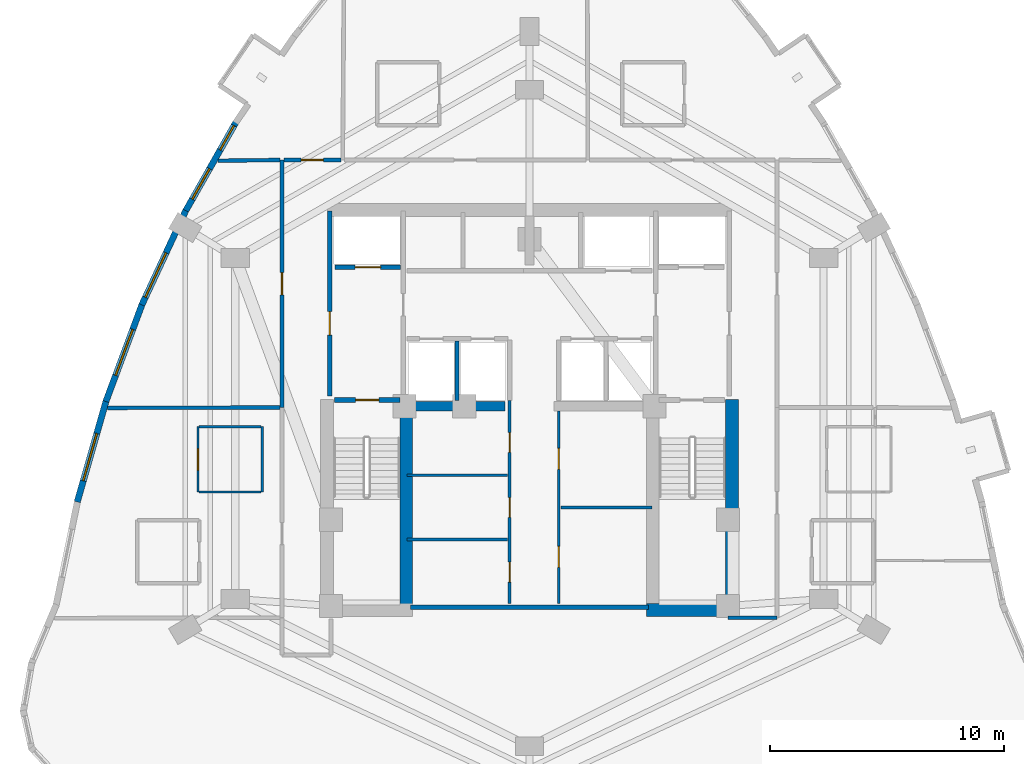
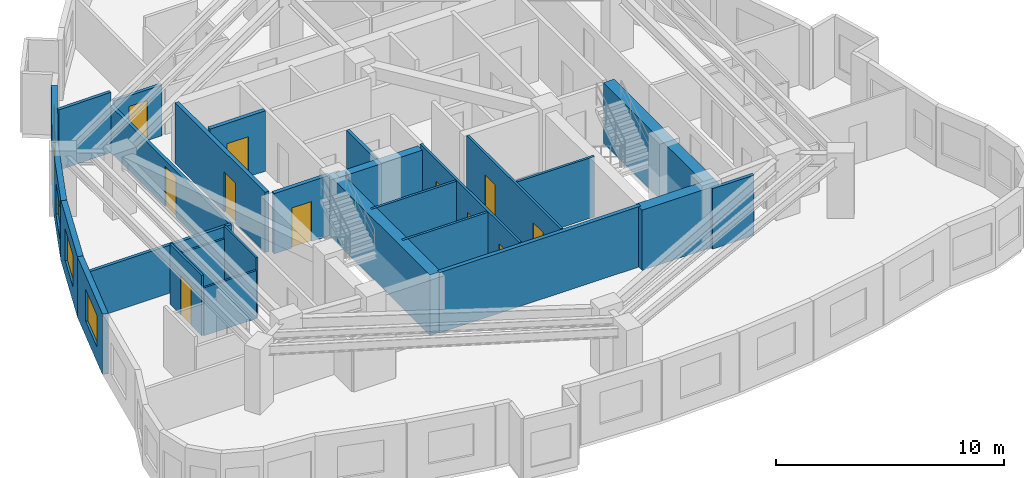
# One storey, part 4 of 9: 27 walls, 11 doors, 5 windows, 16 openings.
"""IFC4 building model written with IfcOpenShell, lengths in metres."""

from ifc_helpers import new_model, si_unit, direction, frame, frame_2d, origin, place, context, subcontext, project, spatial, rectangle, extrude, material, layer, layer_set, type_object, element, fill, save


model = new_model("IFC4")

# Units and contexts
model_context = context("Model", 3, precision=1e-05, world=origin(), true_north=direction((0.0, 1.0)))
body_context = subcontext(model_context, "Body", "Model", "MODEL_VIEW")
ifc_project = project(units=[si_unit("LENGTHUNIT", "METRE"), si_unit("AREAUNIT", "SQUARE_METRE"), si_unit("VOLUMEUNIT", "CUBIC_METRE"), si_unit("PLANEANGLEUNIT", "RADIAN"), si_unit("MASSUNIT", "GRAM", prefix="KILO")], contexts=[model_context])

# Site, building, storey
site_placement = place(None, origin())
site = spatial("IfcSite", under=ifc_project, at=site_placement, CompositionType="ELEMENT")
building_placement = place(site_placement, origin())
building = spatial("IfcBuilding", under=site, at=building_placement, Name="Miruveldt Soraemaru", CompositionType="ELEMENT")
storey_placement = place(building_placement, frame((0.0, 0.0, 135.39990234375)))
storey = spatial("IfcBuildingStorey", under=building, at=storey_placement, Name="L37", CompositionType="ELEMENT", Elevation=135.39990234375)

# Walls
ifc_material_1 = material(Name="Concrete C70/85 (70 MPa)", Category="concrete")
ifc_layer_1 = layer(ifc_material_1, 0.5, Name="Concrete C70/85 (70 MPa)", Category="concrete")
ifc_layer_set_1 = layer_set([ifc_layer_1], Name="Concrete C70/85 (70 MPa)")
wall_type_1 = type_object("IfcWallType", Name="WALL-BW-500", PredefinedType="SHEAR", material=ifc_layer_set_1)
wall_1_placement = place(storey_placement, frame((38.75, 44.050048828125, 0.0), z_axis=(0.0, 0.0, 1.0), x_axis=(1.0, 0.0, 0.0)))
element("IfcWall", 1, at=wall_1_placement, inside=storey, type_object=wall_type_1, Name="L37 Core Buttress Shear Wall BW", PredefinedType="SHEAR", context=body_context, shape_type="SweptSolid", body=[
    extrude(rectangle(XDim=4.199951171875, YDim=0.39990234375, at=frame_2d((2.10009765625, 0.0))), origin(), (0.0, 0.0, 1.0), 3.235107421875),
])
ifc_layer_2 = layer(ifc_material_1, 0.550048828125, Name="Concrete C70/85 (70 MPa)", Category="concrete")
ifc_layer_set_2 = layer_set([ifc_layer_2], Name="Concrete C70/85 (70 MPa)")
wall_type_2 = type_object("IfcWallType", Name="WALL-CW-550", PredefinedType="SHEAR", material=ifc_layer_set_2)
wall_2_placement = place(storey_placement, frame((49.0, 35.324951171875, 0.0), z_axis=(0.0, 0.0, 1.0), x_axis=(1.0, 0.0, 0.0)))
element("IfcWall", 2, at=wall_2_placement, inside=storey, type_object=wall_type_2, Name="L37 Central Core Shear Wall S2", PredefinedType="SHEAR", context=body_context, shape_type="SweptSolid", body=[
    extrude(rectangle(XDim=3.949951171875, YDim=0.550048828125, at=frame_2d((1.97509765625, 0.0))), origin(), (0.0, 0.0, 1.0), 3.235107421875),
])
wall_3_placement = place(storey_placement, frame((52.675048828125, 35.050048828125, 0.0), z_axis=(0.0, 0.0, 1.0), x_axis=(0.0, 1.0, 0.0)))
element("IfcWall", 3, at=wall_3_placement, inside=storey, type_object=wall_type_2, Name="L37 Central Core Shear Wall E1", PredefinedType="SHEAR", context=body_context, shape_type="SweptSolid", body=[
    extrude(rectangle(XDim=9.300048828125, YDim=0.550048828125, at=frame_2d((4.64990234375, 0.0))), origin(), (0.0, 0.0, 1.0), 3.235107421875),
])
wall_4_placement = place(storey_placement, frame((38.72509765625, 35.39990234375, 0.0), z_axis=(0.0, 0.0, 1.0), x_axis=(0.0, 1.0, 0.0)))
element("IfcWall", 4, at=wall_4_placement, inside=storey, type_object=wall_type_2, Name="L37 Central Core Shear Wall SW-INT", PredefinedType="SHEAR", context=body_context, shape_type="SweptSolid", body=[
    extrude(rectangle(XDim=8.9501953125, YDim=0.550048828125, at=frame_2d((4.47509765625, 0.0))), origin(), (0.0, 0.0, 1.0), 3.235107421875),
])

# Wall, openings, windows
ifc_material_2 = material(Name="Precast concrete C45/55 (45 MPa)", Category="concrete")
ifc_layer_3 = layer(ifc_material_2, 0.27001953125, Name="Precast concrete C45/55 (45 MPa)", Category="concrete")
ifc_layer_set_3 = layer_set([ifc_layer_3], Name="Precast concrete C45/55 (45 MPa)")
wall_type_3 = type_object("IfcWallType", Name="WALL-EXT-PC270", PredefinedType="SOLIDWALL", material=ifc_layer_set_3)
wall_5_placement = place(storey_placement, frame((31.446044921875, 56.247314453125, 0.0), z_axis=(0.0, 0.0, 1.0), x_axis=(-0.493387123511, -0.869809833443, 0.0)))
wall_5 = element("IfcWall", 5, at=wall_5_placement, inside=storey, type_object=wall_type_3, Name="L37 Precast Concrete Facade Wall 10", PredefinedType="SOLIDWALL", context=body_context, shape_type="SweptSolid", body=[
    extrude(rectangle(XDim=4.456298828125, YDim=0.27001953125, at=frame_2d((2.22802734375, 0.0))), origin(), (0.0, 0.0, 1.0), 3.235107421875),
])
opening_1_placement = place(wall_5_placement, frame((0.2041015625, 0.0, 0.780029296875)))
opening_1 = element("IfcOpeningElement", 6, at=opening_1_placement, cuts=wall_5, Name="Opening WN-4", PredefinedType="OPENING", context=body_context, shape_type="SweptSolid", body=[
    extrude(rectangle(XDim=1.199951171875, YDim=1.550048828125, at=frame_2d((0.60009765625, 0.77490234375))), frame((0.0, 0.14501953125, 0.0), z_axis=(0.0, -1.0, 0.0), x_axis=(1.0, 0.0, 0.0)), (0.0, 0.0, 1.0), 0.2900390625),
])
opening_2_placement = place(wall_5_placement, frame((2.323974609375, 0.0, 0.800048828125)))
opening_2 = element("IfcOpeningElement", 7, at=opening_2_placement, cuts=wall_5, Name="Opening WN-3", PredefinedType="OPENING", context=body_context, shape_type="SweptSolid", body=[
    extrude(rectangle(XDim=1.5, YDim=1.60009765625, at=frame_2d((0.75, 0.800048828125))), frame((0.0, 0.14501953125, 0.0), z_axis=(0.0, -1.0, 0.0), x_axis=(1.0, 0.0, 0.0)), (0.0, 0.0, 1.0), 0.2900390625),
])
ifc_material_3 = material(Name="Triple low-e insulated glazing", Category="glass")
window_type_1 = type_object("IfcWindowType", Name="WIN-PUNCH-1200x1550", PartitioningType="SINGLE_PANEL", PredefinedType="WINDOW", material=ifc_material_3)
window_1_placement = place(opening_1_placement, origin())
window_1 = element("IfcWindow", 8, at=window_1_placement, inside=storey, type_object=window_type_1, Name="L37 Punched Triple-Glazed Window 10.1", OverallHeight=1.550048828125, OverallWidth=1.199951171875, PartitioningType="SINGLE_PANEL", PredefinedType="WINDOW", context=body_context, shape_type="SweptSolid", body=[
    extrude(rectangle(XDim=1.199951171875, YDim=1.550048828125, at=frame_2d((0.60009765625, 0.77490234375))), frame((0.0, 0.030029296875, 0.0), z_axis=(0.0, -1.0, 0.0), x_axis=(1.0, 0.0, 0.0)), (0.0, 0.0, 1.0), 0.06005859375),
])
fill(opening_1, window_1)
window_type_2 = type_object("IfcWindowType", Name="WIN-PUNCH-1500x1600", PartitioningType="SINGLE_PANEL", PredefinedType="WINDOW", material=ifc_material_3)
window_2_placement = place(opening_2_placement, origin())
window_2 = element("IfcWindow", 9, at=window_2_placement, inside=storey, type_object=window_type_2, Name="L37 Punched Triple-Glazed Window 10.2", OverallHeight=1.60009765625, OverallWidth=1.5, PartitioningType="SINGLE_PANEL", PredefinedType="WINDOW", context=body_context, shape_type="SweptSolid", body=[
    extrude(rectangle(XDim=1.5, YDim=1.60009765625, at=frame_2d((0.75, 0.800048828125))), frame((0.0, 0.030029296875, 0.0), z_axis=(0.0, -1.0, 0.0), x_axis=(1.0, 0.0, 0.0)), (0.0, 0.0, 1.0), 0.06005859375),
])
fill(opening_2, window_2)

# Wall, opening, window
wall_6_placement = place(storey_placement, frame((29.279296875, 52.43310546875, 0.0), z_axis=(0.0, 0.0, 1.0), x_axis=(-0.422279541347, -0.906465657904, 0.0)))
wall_6 = element("IfcWall", 10, at=wall_6_placement, inside=storey, type_object=wall_type_3, Name="L37 Precast Concrete Facade Wall 11", PredefinedType="SOLIDWALL", context=body_context, shape_type="SweptSolid", body=[
    extrude(rectangle(XDim=4.456298828125, YDim=0.27001953125, at=frame_2d((2.22802734375, 0.0))), origin(), (0.0, 0.0, 1.0), 3.235107421875),
])
opening_3_placement = place(wall_6_placement, frame((1.9970703125, 0.0, 0.800048828125)))
opening_3 = element("IfcOpeningElement", 11, at=opening_3_placement, cuts=wall_6, Name="Opening WN-1", PredefinedType="OPENING", context=body_context, shape_type="SweptSolid", body=[
    extrude(rectangle(XDim=2.10009765625, YDim=1.699951171875, at=frame_2d((1.050048828125, 0.85009765625))), frame((0.0, 0.14501953125, 0.0), z_axis=(0.0, -1.0, 0.0), x_axis=(1.0, 0.0, 0.0)), (0.0, 0.0, 1.0), 0.2900390625),
])
window_type_3 = type_object("IfcWindowType", Name="WIN-PUNCH-2100x1700", PartitioningType="SINGLE_PANEL", PredefinedType="WINDOW", material=ifc_material_3)
window_3_placement = place(opening_3_placement, origin())
window_3 = element("IfcWindow", 12, at=window_3_placement, inside=storey, type_object=window_type_3, Name="L37 Punched Triple-Glazed Window 11.1", OverallHeight=1.699951171875, OverallWidth=2.10009765625, PartitioningType="SINGLE_PANEL", PredefinedType="WINDOW", context=body_context, shape_type="SweptSolid", body=[
    extrude(rectangle(XDim=2.10009765625, YDim=1.699951171875, at=frame_2d((1.050048828125, 0.85009765625))), frame((0.0, 0.030029296875, 0.0), z_axis=(0.0, -1.0, 0.0), x_axis=(1.0, 0.0, 0.0)), (0.0, 0.0, 1.0), 0.06005859375),
])
fill(opening_3, window_3)

wall_7_placement = place(storey_placement, frame((27.42431640625, 48.4580078125, 0.0), z_axis=(0.0, 0.0, 1.0), x_axis=(-0.349028406378, -0.937112144592, 0.0)))
wall_7 = element("IfcWall", 13, at=wall_7_placement, inside=storey, type_object=wall_type_3, Name="L37 Precast Concrete Facade Wall 12", PredefinedType="SOLIDWALL", context=body_context, shape_type="SweptSolid", body=[
    extrude(rectangle(XDim=4.484375, YDim=0.27001953125, at=frame_2d((2.2421875, 0.0))), origin(), (0.0, 0.0, 1.0), 3.235107421875),
])
opening_4_placement = place(wall_7_placement, frame((1.18701171875, 0.0, 0.800048828125)))
opening_4 = element("IfcOpeningElement", 14, at=opening_4_placement, cuts=wall_7, Name="Opening WN-1", PredefinedType="OPENING", context=body_context, shape_type="SweptSolid", body=[
    extrude(rectangle(XDim=2.10009765625, YDim=1.699951171875, at=frame_2d((1.050048828125, 0.85009765625))), frame((0.0, 0.14501953125, 0.0), z_axis=(0.0, -1.0, 0.0), x_axis=(1.0, 0.0, 0.0)), (0.0, 0.0, 1.0), 0.2900390625),
])
window_4_placement = place(opening_4_placement, origin())
window_4 = element("IfcWindow", 15, at=window_4_placement, inside=storey, type_object=window_type_3, Name="L37 Punched Triple-Glazed Window 12.1", OverallHeight=1.699951171875, OverallWidth=2.10009765625, PartitioningType="SINGLE_PANEL", PredefinedType="WINDOW", context=body_context, shape_type="SweptSolid", body=[
    extrude(rectangle(XDim=2.10009765625, YDim=1.699951171875, at=frame_2d((1.050048828125, 0.85009765625))), frame((0.0, 0.030029296875, 0.0), z_axis=(0.0, -1.0, 0.0), x_axis=(1.0, 0.0, 0.0)), (0.0, 0.0, 1.0), 0.06005859375),
])
fill(opening_4, window_4)

wall_8_placement = place(storey_placement, frame((25.881103515625, 44.322021484375, 0.0), z_axis=(0.0, 0.0, 1.0), x_axis=(-0.275005210101, -0.961442735901, 0.0)))
wall_8 = element("IfcWall", 16, at=wall_8_placement, inside=storey, type_object=wall_type_3, Name="L37 Precast Concrete Facade Wall 13", PredefinedType="SOLIDWALL", context=body_context, shape_type="SweptSolid", body=[
    extrude(rectangle(XDim=4.5400390625, YDim=0.27001953125, at=frame_2d((2.27001953125, 0.0))), origin(), (0.0, 0.0, 1.0), 3.235107421875),
])
opening_5_placement = place(wall_8_placement, frame((1.49609375, 0.0, 0.800048828125)))
opening_5 = element("IfcOpeningElement", 17, at=opening_5_placement, cuts=wall_8, Name="Opening WN-1", PredefinedType="OPENING", context=body_context, shape_type="SweptSolid", body=[
    extrude(rectangle(XDim=2.10009765625, YDim=1.699951171875, at=frame_2d((1.050048828125, 0.85009765625))), frame((0.0, 0.14501953125, 0.0), z_axis=(0.0, -1.0, 0.0), x_axis=(1.0, 0.0, 0.0)), (0.0, 0.0, 1.0), 0.2900390625),
])
window_5_placement = place(opening_5_placement, origin())
window_5 = element("IfcWindow", 18, at=window_5_placement, inside=storey, type_object=window_type_3, Name="L37 Punched Triple-Glazed Window 13.1", OverallHeight=1.699951171875, OverallWidth=2.10009765625, PartitioningType="SINGLE_PANEL", PredefinedType="WINDOW", context=body_context, shape_type="SweptSolid", body=[
    extrude(rectangle(XDim=2.10009765625, YDim=1.699951171875, at=frame_2d((1.050048828125, 0.85009765625))), frame((0.0, 0.030029296875, 0.0), z_axis=(0.0, -1.0, 0.0), x_axis=(1.0, 0.0, 0.0)), (0.0, 0.0, 1.0), 0.06005859375),
])
fill(opening_5, window_5)

# Wall, opening, door
ifc_material_4 = material(Name="Gypsum plasterboard lining", Category="gypsum")
ifc_layer_4 = layer(ifc_material_4, 0.10009765625, Name="Gypsum plasterboard lining", Category="gypsum")
ifc_layer_set_4 = layer_set([ifc_layer_4], Name="Gypsum plasterboard lining")
wall_type_4 = type_object("IfcWallType", Name="WALL-INT-P100", PredefinedType="PARTITIONING", material=ifc_layer_set_4)
wall_9_placement = place(storey_placement, frame((29.804931640625, 43.179931640625, 0.0), z_axis=(0.0, 0.0, 1.0), x_axis=(0.0, -1.0, 0.0)))
wall_9 = element("IfcWall", 19, at=wall_9_placement, inside=storey, type_object=wall_type_4, Name="L37 Partition Wall 35", PredefinedType="PARTITIONING", context=body_context, shape_type="SweptSolid", body=[
    extrude(rectangle(XDim=2.800048828125, YDim=0.10009765625, at=frame_2d((1.39990234375, 0.0))), origin(), (0.0, 0.0, 1.0), 3.235107421875),
])
opening_6_placement = place(wall_9_placement, frame((0.93994140625, 0.0, 0.0)))
opening_6 = element("IfcOpeningElement", 20, at=opening_6_placement, cuts=wall_9, Name="Opening D3A", PredefinedType="OPENING", context=body_context, shape_type="SweptSolid", body=[
    extrude(rectangle(XDim=0.919921875, YDim=2.10009765625, at=frame_2d((0.4599609375, 1.050048828125))), frame((0.0, 0.06005859375, 0.0), z_axis=(0.0, -1.0, 0.0), x_axis=(1.0, 0.0, 0.0)), (0.0, 0.0, 1.0), 0.1201171875),
])
ifc_material_5 = material(Name="Anodised aluminium EN AW-6063 T6", Category="aluminium")
door_type_1 = type_object("IfcDoorType", Name="DOOR-INT-920", OperationType="NOTDEFINED", PredefinedType="DOOR", material=ifc_material_5)
door_1_placement = place(opening_6_placement, origin())
door_1 = element("IfcDoor", 21, at=door_1_placement, inside=storey, type_object=door_type_1, Name="L37 Unit 3705 KIT Door", OperationType="SINGLE_SWING_RIGHT", OverallHeight=2.10009765625, OverallWidth=0.919921875, PredefinedType="DOOR", context=body_context, shape_type="SweptSolid", body=[
    extrude(rectangle(XDim=0.919921875, YDim=2.10009765625, at=frame_2d((0.4599609375, 1.050048828125))), frame((0.0, 0.02490234375, 0.0), z_axis=(0.0, -1.0, 0.0), x_axis=(1.0, 0.0, 0.0)), (0.0, 0.0, 1.0), 0.050048828125),
])
fill(opening_6, door_1)

# Walls
wall_10_placement = place(storey_placement, frame((32.554931640625, 40.3798828125, 0.0), z_axis=(0.0, 0.0, 1.0), x_axis=(0.0, 1.0, 0.0)))
element("IfcWall", 22, at=wall_10_placement, inside=storey, type_object=wall_type_4, Name="L37 Partition Wall 33", PredefinedType="PARTITIONING", context=body_context, shape_type="SweptSolid", body=[
    extrude(rectangle(XDim=2.800048828125, YDim=0.10009765625, at=frame_2d((1.39990234375, 0.0))), origin(), (0.0, 0.0, 1.0), 3.235107421875),
])
for number, where, z_axis, x_axis, name in (
    (23, (32.5048828125, 43.179931640625, 0.0), (0.0, 0.0, 1.0), (-1.0, 0.0, 0.0), "L37 Partition Wall 34"),
    (24, (29.85498046875, 40.3798828125, 0.0), (0.0, 0.0, 1.0), (1.0, 0.0, 0.0), "L37 Partition Wall 36"),
):
    element("IfcWall", number, at=place(storey_placement, frame(where, z_axis=z_axis, x_axis=x_axis)), inside=storey, type_object=wall_type_4, Name=name, PredefinedType="PARTITIONING", context=body_context, shape_type="SweptSolid", body=[
        extrude(rectangle(XDim=2.64990234375, YDim=0.10009765625, at=frame_2d((1.324951171875, 0.0))), origin(), (0.0, 0.0, 1.0), 2.572998046875),
    ])

# Wall, openings, doors
ifc_layer_5 = layer(ifc_material_4, 0.1201171875, Name="Gypsum plasterboard lining", Category="gypsum")
ifc_layer_set_5 = layer_set([ifc_layer_5], Name="Gypsum plasterboard lining")
wall_type_5 = type_object("IfcWallType", Name="WALL-INT-P120", PredefinedType="PARTITIONING", material=ifc_layer_set_5)
wall_11_placement = place(storey_placement, frame((43.14990234375, 35.60009765625, 0.0), z_axis=(0.0, 0.0, 1.0), x_axis=(0.0, 1.0, 0.0)))
wall_11 = element("IfcWall", 25, at=wall_11_placement, inside=storey, type_object=wall_type_5, Name="L37 Core Compartment Wall SP-WL", PredefinedType="PARTITIONING", context=body_context, shape_type="SweptSolid", body=[
    extrude(rectangle(XDim=8.699951171875, YDim=0.1201171875, at=frame_2d((4.35009765625, 0.0))), origin(), (0.0, 0.0, 1.0), 3.235107421875),
])
opening_7_placement = place(wall_11_placement, frame((0.925048828125, 0.0, 0.0)))
opening_7 = element("IfcOpeningElement", 26, at=opening_7_placement, cuts=wall_11, Name="Opening FD3", PredefinedType="OPENING", context=body_context, shape_type="SweptSolid", body=[
    extrude(rectangle(XDim=0.85009765625, YDim=2.10009765625, at=frame_2d((0.425048828125, 1.050048828125))), frame((0.0, 0.070068359375, 0.0), z_axis=(0.0, -1.0, 0.0), x_axis=(1.0, 0.0, 0.0)), (0.0, 0.0, 1.0), 0.14013671875),
])
opening_8_placement = place(wall_11_placement, frame((3.695068359375, 0.0, 0.0)))
opening_8 = element("IfcOpeningElement", 27, at=opening_8_placement, cuts=wall_11, Name="Opening FD3", PredefinedType="OPENING", context=body_context, shape_type="SweptSolid", body=[
    extrude(rectangle(XDim=0.85009765625, YDim=2.10009765625, at=frame_2d((0.425048828125, 1.050048828125))), frame((0.0, 0.070068359375, 0.0), z_axis=(0.0, -1.0, 0.0), x_axis=(1.0, 0.0, 0.0)), (0.0, 0.0, 1.0), 0.14013671875),
])
opening_9_placement = place(wall_11_placement, frame((6.47509765625, 0.0, 0.0)))
opening_9 = element("IfcOpeningElement", 28, at=opening_9_placement, cuts=wall_11, Name="Opening FD3", PredefinedType="OPENING", context=body_context, shape_type="SweptSolid", body=[
    extrude(rectangle(XDim=0.85009765625, YDim=2.10009765625, at=frame_2d((0.425048828125, 1.050048828125))), frame((0.0, 0.070068359375, 0.0), z_axis=(0.0, -1.0, 0.0), x_axis=(1.0, 0.0, 0.0)), (0.0, 0.0, 1.0), 0.14013671875),
])
door_type_2 = type_object("IfcDoorType", Name="DOOR-FD3-850", OperationType="NOTDEFINED", PredefinedType="DOOR", material=ifc_material_5)
door_2_placement = place(opening_7_placement, origin())
door_2 = element("IfcDoor", 29, at=door_2_placement, inside=storey, type_object=door_type_2, Name="L37 Fire Door", OperationType="SINGLE_SWING_LEFT", OverallHeight=2.10009765625, OverallWidth=0.85009765625, PredefinedType="DOOR", context=body_context, shape_type="SweptSolid", body=[
    extrude(rectangle(XDim=0.85009765625, YDim=2.10009765625, at=frame_2d((0.425048828125, 1.050048828125))), frame((0.0, 0.02490234375, 0.0), z_axis=(0.0, -1.0, 0.0), x_axis=(1.0, 0.0, 0.0)), (0.0, 0.0, 1.0), 0.050048828125),
])
fill(opening_7, door_2)
door_3_placement = place(opening_8_placement, origin())
door_3 = element("IfcDoor", 30, at=door_3_placement, inside=storey, type_object=door_type_2, Name="L37 Fire Door", OperationType="SINGLE_SWING_LEFT", OverallHeight=2.10009765625, OverallWidth=0.85009765625, PredefinedType="DOOR", context=body_context, shape_type="SweptSolid", body=[
    extrude(rectangle(XDim=0.85009765625, YDim=2.10009765625, at=frame_2d((0.425048828125, 1.050048828125))), frame((0.0, 0.02490234375, 0.0), z_axis=(0.0, -1.0, 0.0), x_axis=(1.0, 0.0, 0.0)), (0.0, 0.0, 1.0), 0.050048828125),
])
fill(opening_8, door_3)
door_4_placement = place(opening_9_placement, origin())
door_4 = element("IfcDoor", 31, at=door_4_placement, inside=storey, type_object=door_type_2, Name="L37 Fire Door", OperationType="SINGLE_SWING_LEFT", OverallHeight=2.10009765625, OverallWidth=0.85009765625, PredefinedType="DOOR", context=body_context, shape_type="SweptSolid", body=[
    extrude(rectangle(XDim=0.85009765625, YDim=2.10009765625, at=frame_2d((0.425048828125, 1.050048828125))), frame((0.0, 0.02490234375, 0.0), z_axis=(0.0, -1.0, 0.0), x_axis=(1.0, 0.0, 0.0)), (0.0, 0.0, 1.0), 0.050048828125),
])
fill(opening_9, door_4)

wall_12_placement = place(storey_placement, frame((45.25, 35.60009765625, 0.0), z_axis=(0.0, 0.0, 1.0), x_axis=(0.0, 1.0, 0.0)))
wall_12 = element("IfcWall", 32, at=wall_12_placement, inside=storey, type_object=wall_type_5, Name="L37 Core Compartment Wall SP-EL", PredefinedType="PARTITIONING", context=body_context, shape_type="SweptSolid", body=[
    extrude(rectangle(XDim=8.25, YDim=0.1201171875, at=frame_2d((4.125, 0.0))), origin(), (0.0, 0.0, 1.0), 3.235107421875),
])
opening_10_placement = place(wall_12_placement, frame((1.550048828125, 0.0, 0.0)))
opening_10 = element("IfcOpeningElement", 33, at=opening_10_placement, cuts=wall_12, Name="Opening D3", PredefinedType="OPENING", context=body_context, shape_type="SweptSolid", body=[
    extrude(rectangle(XDim=0.89990234375, YDim=2.10009765625, at=frame_2d((0.449951171875, 1.050048828125))), frame((0.0, 0.070068359375, 0.0), z_axis=(0.0, -1.0, 0.0), x_axis=(1.0, 0.0, 0.0)), (0.0, 0.0, 1.0), 0.14013671875),
])
opening_11_placement = place(wall_12_placement, frame((5.75, 0.0, 0.0)))
opening_11 = element("IfcOpeningElement", 34, at=opening_11_placement, cuts=wall_12, Name="Opening D3", PredefinedType="OPENING", context=body_context, shape_type="SweptSolid", body=[
    extrude(rectangle(XDim=0.89990234375, YDim=2.10009765625, at=frame_2d((0.449951171875, 1.050048828125))), frame((0.0, 0.070068359375, 0.0), z_axis=(0.0, -1.0, 0.0), x_axis=(1.0, 0.0, 0.0)), (0.0, 0.0, 1.0), 0.14013671875),
])
door_type_3 = type_object("IfcDoorType", Name="DOOR-INT-900", OperationType="NOTDEFINED", PredefinedType="DOOR", material=ifc_material_5)
door_5_placement = place(opening_10_placement, origin())
door_5 = element("IfcDoor", 35, at=door_5_placement, inside=storey, type_object=door_type_3, Name="L37 Fire Door", OperationType="SINGLE_SWING_LEFT", OverallHeight=2.10009765625, OverallWidth=0.89990234375, PredefinedType="DOOR", context=body_context, shape_type="SweptSolid", body=[
    extrude(rectangle(XDim=0.89990234375, YDim=2.10009765625, at=frame_2d((0.449951171875, 1.050048828125))), frame((0.0, 0.02490234375, 0.0), z_axis=(0.0, -1.0, 0.0), x_axis=(1.0, 0.0, 0.0)), (0.0, 0.0, 1.0), 0.050048828125),
])
fill(opening_10, door_5)
door_6_placement = place(opening_11_placement, origin())
door_6 = element("IfcDoor", 36, at=door_6_placement, inside=storey, type_object=door_type_3, Name="L37 Fire Door", OperationType="SINGLE_SWING_LEFT", OverallHeight=2.10009765625, OverallWidth=0.89990234375, PredefinedType="DOOR", context=body_context, shape_type="SweptSolid", body=[
    extrude(rectangle(XDim=0.89990234375, YDim=2.10009765625, at=frame_2d((0.449951171875, 1.050048828125))), frame((0.0, 0.02490234375, 0.0), z_axis=(0.0, -1.0, 0.0), x_axis=(1.0, 0.0, 0.0)), (0.0, 0.0, 1.0), 0.050048828125),
])
fill(opening_11, door_6)

# Walls
for number, where, z_axis, x_axis, name in (
    (37, (38.75, 38.35009765625, 0.0), (0.0, 0.0, 1.0), (1.0, 0.0, 0.0), "L37 Core Compartment Wall RL-W3A"),
    (38, (38.75, 41.10009765625, 0.0), (0.0, 0.0, 1.0), (1.0, 0.0, 0.0), "L37 Core Compartment Wall RL-W3B"),
):
    element("IfcWall", number, at=place(storey_placement, frame(where, z_axis=z_axis, x_axis=x_axis)), inside=storey, type_object=wall_type_5, Name=name, PredefinedType="PARTITIONING", context=body_context, shape_type="SweptSolid", body=[
        extrude(rectangle(XDim=4.300048828125, YDim=0.1201171875, at=frame_2d((2.14990234375, 0.0))), origin(), (0.0, 0.0, 1.0), 3.235107421875),
    ])
wall_13_placement = place(storey_placement, frame((45.35009765625, 39.719970703125, 0.0), z_axis=(0.0, 0.0, 1.0), x_axis=(1.0, 0.0, 0.0)))
element("IfcWall", 39, at=wall_13_placement, inside=storey, type_object=wall_type_5, Name="L37 Core Compartment Wall RL-E3H", PredefinedType="PARTITIONING", context=body_context, shape_type="SweptSolid", body=[
    extrude(rectangle(XDim=3.89990234375, YDim=0.1201171875, at=frame_2d((1.949951171875, 0.0))), origin(), (0.0, 0.0, 1.0), 3.235107421875),
])

# Wall, opening, door
ifc_material_6 = material(Name="Concrete C40/50 (40 MPa)", Category="concrete")
ifc_layer_6 = layer(ifc_material_6, 0.159912109375, Name="Concrete C40/50 (40 MPa)", Category="concrete")
ifc_layer_set_6 = layer_set([ifc_layer_6], Name="Concrete C40/50 (40 MPa)")
wall_type_6 = type_object("IfcWallType", Name="WALL-INT-RC160", PredefinedType="SOLIDWALL", material=ifc_layer_set_6)
wall_14_placement = place(storey_placement, frame((33.39990234375, 54.60009765625, 0.0), z_axis=(0.0, 0.0, 1.0), x_axis=(0.0, -1.0, 0.0)))
wall_14 = element("IfcWall", 40, at=wall_14_placement, inside=storey, type_object=wall_type_6, Name="L37 Partition Wall 4", PredefinedType="SOLIDWALL", context=body_context, shape_type="SweptSolid", body=[
    extrude(rectangle(XDim=10.60009765625, YDim=0.159912109375, at=frame_2d((5.300048828125, 0.0))), origin(), (0.0, 0.0, 1.0), 2.47314453125),
])
opening_12_placement = place(wall_14_placement, frame((4.824951171875, 0.0, 0.0)))
opening_12 = element("IfcOpeningElement", 41, at=opening_12_placement, cuts=wall_14, Name="Opening FD2", PredefinedType="OPENING", context=body_context, shape_type="SweptSolid", body=[
    extrude(rectangle(XDim=0.949951171875, YDim=2.14990234375, at=frame_2d((0.47509765625, 1.074951171875))), frame((0.0, 0.08984375, 0.0), z_axis=(0.0, -1.0, 0.0), x_axis=(1.0, 0.0, 0.0)), (0.0, 0.0, 1.0), 0.179931640625),
])
door_type_4 = type_object("IfcDoorType", Name="DOOR-FD2-950", OperationType="NOTDEFINED", PredefinedType="DOOR", material=ifc_material_5)
door_7_placement = place(opening_12_placement, origin())
door_7 = element("IfcDoor", 42, at=door_7_placement, inside=storey, type_object=door_type_4, Name="L37 Unit CL04 Entrance Fire Door", OperationType="SINGLE_SWING_LEFT", OverallHeight=2.14990234375, OverallWidth=0.949951171875, PredefinedType="DOOR", context=body_context, shape_type="SweptSolid", body=[
    extrude(rectangle(XDim=0.949951171875, YDim=2.14990234375, at=frame_2d((0.47509765625, 1.074951171875))), frame((0.0, 0.02490234375, 0.0), z_axis=(0.0, -1.0, 0.0), x_axis=(1.0, 0.0, 0.0)), (0.0, 0.0, 1.0), 0.050048828125),
])
fill(opening_12, door_7)

wall_15_placement = place(storey_placement, frame((35.919921875, 54.60009765625, 0.0), z_axis=(0.0, 0.0, 1.0), x_axis=(-1.0, 0.0, 0.0)))
wall_15 = element("IfcWall", 43, at=wall_15_placement, inside=storey, type_object=wall_type_6, Name="L37 Partition Wall 1", PredefinedType="SOLIDWALL", context=body_context, shape_type="SweptSolid", body=[
    extrude(rectangle(XDim=2.43994140625, YDim=0.159912109375, at=frame_2d((1.219970703125, 0.0))), origin(), (0.0, 0.0, 1.0), 2.72314453125),
])
opening_13_placement = place(wall_15_placement, frame((0.7451171875, 0.0, 0.0)))
opening_13 = element("IfcOpeningElement", 44, at=opening_13_placement, cuts=wall_15, Name="Opening FD2", PredefinedType="OPENING", context=body_context, shape_type="SweptSolid", body=[
    extrude(rectangle(XDim=0.949951171875, YDim=2.14990234375, at=frame_2d((0.47509765625, 1.074951171875))), frame((0.0, 0.08984375, 0.0), z_axis=(0.0, -1.0, 0.0), x_axis=(1.0, 0.0, 0.0)), (0.0, 0.0, 1.0), 0.179931640625),
])
door_8_placement = place(opening_13_placement, origin())
door_8 = element("IfcDoor", 45, at=door_8_placement, inside=storey, type_object=door_type_4, Name="L37 Unit CL01 Entrance Fire Door", OperationType="SINGLE_SWING_LEFT", OverallHeight=2.14990234375, OverallWidth=0.949951171875, PredefinedType="DOOR", context=body_context, shape_type="SweptSolid", body=[
    extrude(rectangle(XDim=0.949951171875, YDim=2.14990234375, at=frame_2d((0.47509765625, 1.074951171875))), frame((0.0, 0.02490234375, 0.0), z_axis=(0.0, -1.0, 0.0), x_axis=(1.0, 0.0, 0.0)), (0.0, 0.0, 1.0), 0.050048828125),
])
fill(opening_13, door_8)

# Walls
wall_16_placement = place(storey_placement, frame((25.93896484375, 43.98095703125, 0.0), z_axis=(0.0, 0.0, 1.0), x_axis=(0.999996671914, 0.002579953707, 0.0)))
element("IfcWall", 46, at=wall_16_placement, inside=storey, type_object=wall_type_6, Name="L37 Partition Wall 28", PredefinedType="SOLIDWALL", context=body_context, shape_type="SweptSolid", body=[
    extrude(rectangle(XDim=7.381103515625, YDim=0.159912109375, at=frame_2d((3.6904296875, 0.0))), origin(), (0.0, 0.0, 1.0), 2.572998046875),
])
wall_17_placement = place(storey_placement, frame((30.6650390625, 54.56591796875, 0.0), z_axis=(0.0, 0.0, 1.0), x_axis=(0.999921812315, 0.012504769331, 0.0)))
element("IfcWall", 47, at=wall_17_placement, inside=storey, type_object=wall_type_6, Name="L37 Partition Wall 13", PredefinedType="SOLIDWALL", context=body_context, shape_type="SweptSolid", body=[
    extrude(rectangle(XDim=2.6552734375, YDim=0.159912109375, at=frame_2d((1.32763671875, 0.0))), origin(), (0.0, 0.0, 1.0), 3.235107421875),
])
wall_18_placement = place(storey_placement, frame((40.89990234375, 44.300048828125, 0.0), z_axis=(0.0, 0.0, 1.0), x_axis=(0.0, 1.0, 0.0)))
element("IfcWall", 48, at=wall_18_placement, inside=storey, type_object=wall_type_6, Name="L37 Core Compartment Wall PLM-DW", PredefinedType="SOLIDWALL", context=body_context, shape_type="SweptSolid", body=[
    extrude(rectangle(XDim=2.550048828125, YDim=0.159912109375, at=frame_2d((1.27490234375, 0.0))), origin(), (0.0, 0.0, 1.0), 3.235107421875),
])
wall_19_placement = place(storey_placement, frame((52.49609375, 35.0, 0.0), z_axis=(0.0, 0.0, 1.0), x_axis=(1.0, 0.0, 0.0)))
element("IfcWall", 49, at=wall_19_placement, inside=storey, type_object=wall_type_6, Name="L37 Partition Wall 10", PredefinedType="SOLIDWALL", context=body_context, shape_type="SweptSolid", body=[
    extrude(rectangle(XDim=2.10400390625, YDim=0.159912109375, at=frame_2d((1.052001953125, 0.0))), origin(), (0.0, 0.0, 1.0), 3.235107421875),
])

# Wall, opening, door
ifc_layer_7 = layer(ifc_material_6, 0.199951171875, Name="Concrete C40/50 (40 MPa)", Category="concrete")
ifc_layer_set_7 = layer_set([ifc_layer_7], Name="Concrete C40/50 (40 MPa)")
wall_type_7 = type_object("IfcWallType", Name="WALL-INT-RC200", PredefinedType="SOLIDWALL", material=ifc_layer_set_7)
wall_20_placement = place(storey_placement, frame((35.449951171875, 44.5, 0.0), z_axis=(0.0, 0.0, 1.0), x_axis=(0.0, 1.0, 0.0)))
wall_20 = element("IfcWall", 50, at=wall_20_placement, inside=storey, type_object=wall_type_7, Name="L37 Core Compartment Wall FFW-OUT", PredefinedType="SOLIDWALL", context=body_context, shape_type="SweptSolid", body=[
    extrude(rectangle(XDim=7.919921875, YDim=0.199951171875, at=frame_2d((3.9599609375, 0.0))), origin(), (0.0, 0.0, 1.0), 3.235107421875),
])
opening_14_placement = place(wall_20_placement, frame((2.60009765625, 0.0, 0.0)))
opening_14 = element("IfcOpeningElement", 51, at=opening_14_placement, cuts=wall_20, Name="Opening FD1", PredefinedType="OPENING", context=body_context, shape_type="SweptSolid", body=[
    extrude(rectangle(XDim=1.0, YDim=2.14990234375, at=frame_2d((0.5, 1.074951171875))), frame((0.0, 0.10986328125, 0.0), z_axis=(0.0, -1.0, 0.0), x_axis=(1.0, 0.0, 0.0)), (0.0, 0.0, 1.0), 0.219970703125),
])
door_type_5 = type_object("IfcDoorType", Name="DOOR-FD1-1000", OperationType="NOTDEFINED", PredefinedType="DOOR", material=ifc_material_5)
door_9_placement = place(opening_14_placement, origin())
door_9 = element("IfcDoor", 52, at=door_9_placement, inside=storey, type_object=door_type_5, Name="L37 West Firefighting Lobby Exit Door", OperationType="SINGLE_SWING_LEFT", OverallHeight=2.14990234375, OverallWidth=1.0, PredefinedType="DOOR", context=body_context, shape_type="SweptSolid", body=[
    extrude(rectangle(XDim=1.0, YDim=2.14990234375, at=frame_2d((0.5, 1.074951171875))), frame((0.0, 0.02490234375, 0.0), z_axis=(0.0, -1.0, 0.0), x_axis=(1.0, 0.0, 0.0)), (0.0, 0.0, 1.0), 0.050048828125),
])
fill(opening_14, door_9)

wall_21_placement = place(storey_placement, frame((35.64990234375, 44.320068359375, 0.0), z_axis=(0.0, 0.0, 1.0), x_axis=(1.0, 0.0, 0.0)))
wall_21 = element("IfcWall", 53, at=wall_21_placement, inside=storey, type_object=wall_type_7, Name="L37 Core Compartment Wall ST1-N", PredefinedType="SOLIDWALL", context=body_context, shape_type="SweptSolid", body=[
    extrude(rectangle(XDim=2.800048828125, YDim=0.199951171875, at=frame_2d((1.39990234375, 0.0))), origin(), (0.0, 0.0, 1.0), 3.235107421875),
])
opening_15_placement = place(wall_21_placement, frame((0.89990234375, 0.0, 0.0)))
opening_15 = element("IfcOpeningElement", 54, at=opening_15_placement, cuts=wall_21, Name="Opening FD1", PredefinedType="OPENING", context=body_context, shape_type="SweptSolid", body=[
    extrude(rectangle(XDim=1.0, YDim=2.14990234375, at=frame_2d((0.5, 1.074951171875))), frame((0.0, 0.10986328125, 0.0), z_axis=(0.0, -1.0, 0.0), x_axis=(1.0, 0.0, 0.0)), (0.0, 0.0, 1.0), 0.219970703125),
])
door_10_placement = place(opening_15_placement, frame((1.0, 0.0, 0.0), z_axis=(0.0, 0.0, 1.0), x_axis=(-1.0, 0.0, 0.0)))
door_10 = element("IfcDoor", 55, at=door_10_placement, inside=storey, type_object=door_type_5, Name="L37 Stair ST-1 Fire Door", OperationType="SINGLE_SWING_LEFT", OverallHeight=2.14990234375, OverallWidth=1.0, PredefinedType="DOOR", context=body_context, shape_type="SweptSolid", body=[
    extrude(rectangle(XDim=1.0, YDim=2.14990234375, at=frame_2d((0.5, 1.074951171875))), frame((0.0, 0.02490234375, 0.0), z_axis=(0.0, -1.0, 0.0), x_axis=(1.0, 0.0, 0.0)), (0.0, 0.0, 1.0), 0.050048828125),
])
fill(opening_15, door_10)

wall_22_placement = place(storey_placement, frame((35.679931640625, 50.0, 0.0), z_axis=(0.0, 0.0, 1.0), x_axis=(1.0, 0.0, 0.0)))
wall_22 = element("IfcWall", 56, at=wall_22_placement, inside=storey, type_object=wall_type_7, Name="L37 Core Compartment Wall FFL1-S", PredefinedType="SOLIDWALL", context=body_context, shape_type="SweptSolid", body=[
    extrude(rectangle(XDim=2.800048828125, YDim=0.199951171875, at=frame_2d((1.39990234375, 0.0))), origin(), (0.0, 0.0, 1.0), 3.235107421875),
])
opening_16_placement = place(wall_22_placement, frame((0.85009765625, 0.0, 0.0)))
opening_16 = element("IfcOpeningElement", 57, at=opening_16_placement, cuts=wall_22, Name="Opening LD2", PredefinedType="OPENING", context=body_context, shape_type="SweptSolid", body=[
    extrude(rectangle(XDim=1.10009765625, YDim=2.14990234375, at=frame_2d((0.550048828125, 1.074951171875))), frame((0.0, 0.10986328125, 0.0), z_axis=(0.0, -1.0, 0.0), x_axis=(1.0, 0.0, 0.0)), (0.0, 0.0, 1.0), 0.219970703125),
])
door_type_6 = type_object("IfcDoorType", Name="DOOR-LD2-1100", OperationType="SLIDING_TO_LEFT", PredefinedType="DOOR", material=ifc_material_5)
door_11_placement = place(opening_16_placement, origin())
door_11 = element("IfcDoor", 58, at=door_11_placement, inside=storey, type_object=door_type_6, Name="L37 FFL-1 Landing Door", OperationType="SLIDING_TO_LEFT", OverallHeight=2.14990234375, OverallWidth=1.10009765625, PredefinedType="DOOR", context=body_context, shape_type="SweptSolid", body=[
    extrude(rectangle(XDim=1.10009765625, YDim=2.14990234375, at=frame_2d((0.550048828125, 1.074951171875))), frame((0.0, 0.02490234375, 0.0), z_axis=(0.0, -1.0, 0.0), x_axis=(1.0, 0.0, 0.0)), (0.0, 0.0, 1.0), 0.050048828125),
])
fill(opening_16, door_11)

# Wall
wall_23_placement = place(storey_placement, frame((38.89990234375, 35.449951171875, 0.0), z_axis=(0.0, 0.0, 1.0), x_axis=(1.0, 0.0, 0.0)))
element("IfcWall", 59, at=wall_23_placement, inside=storey, type_object=wall_type_7, Name="L37 Core Compartment Wall CS-S", PredefinedType="SOLIDWALL", context=body_context, shape_type="SweptSolid", body=[
    extrude(rectangle(XDim=10.2001953125, YDim=0.199951171875, at=frame_2d((5.10009765625, 0.0))), origin(), (0.0, 0.0, 1.0), 3.235107421875),
])

save(model, "model.ifc")
